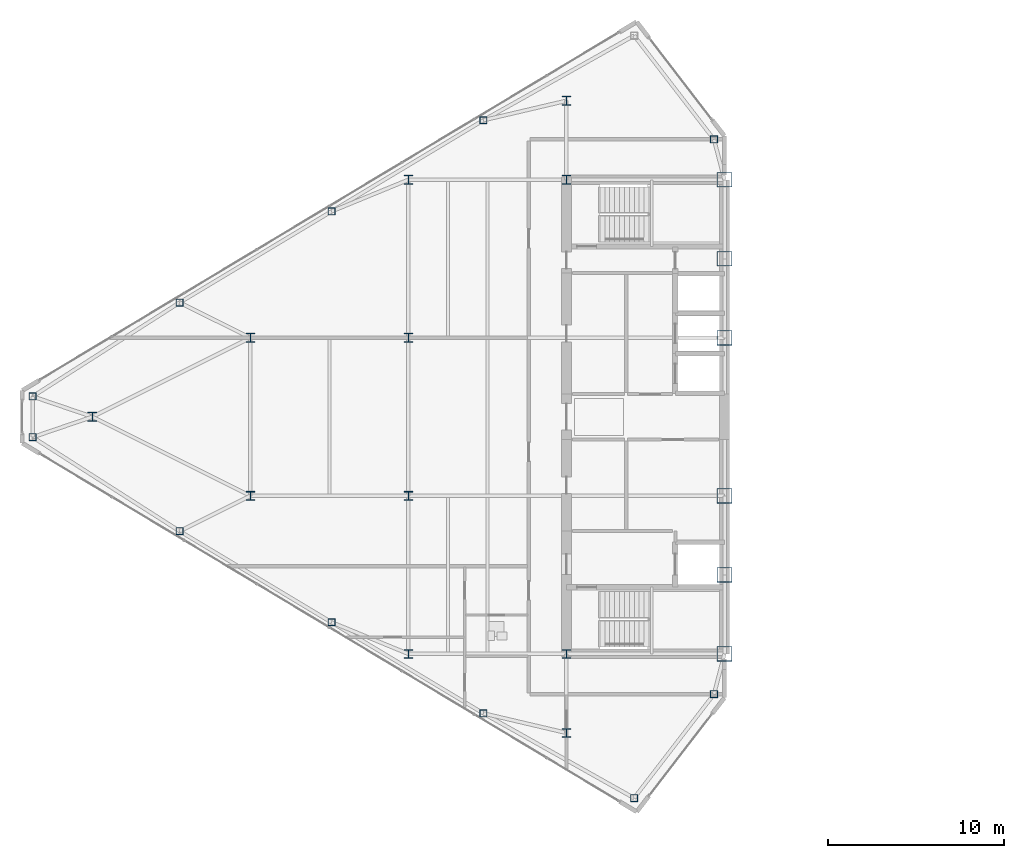
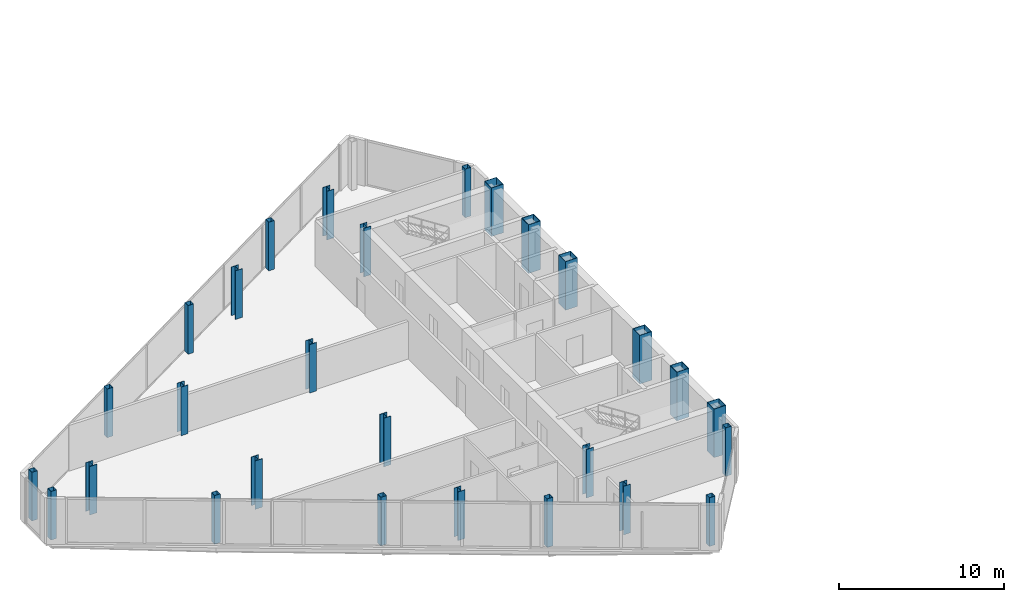
# One storey, part 1 of 25: 28 columns.
"""IFC4 building model written with IfcOpenShell, lengths in metres."""

from ifc_helpers import new_model, si_unit, direction, frame, origin, origin_2d, place, context, subcontext, project, spatial, hollow_rectangle, i_section, extrude, source, transform, mapped, material, material_profile, profile_set, type_object, type_shapes, element, save


model = new_model("IFC4")

# Units and contexts
model_context = context("Model", 3, precision=1e-05, world=origin(), true_north=direction((0.0, 1.0)))
body_context = subcontext(model_context, "Body", "Model", "MODEL_VIEW")
ifc_project = project(units=[si_unit("LENGTHUNIT", "METRE"), si_unit("AREAUNIT", "SQUARE_METRE"), si_unit("VOLUMEUNIT", "CUBIC_METRE"), si_unit("PLANEANGLEUNIT", "RADIAN"), si_unit("MASSUNIT", "GRAM", prefix="KILO")], contexts=[model_context])

# Site, building, storey
site_placement = place(None, origin())
site = spatial("IfcSite", under=ifc_project, at=site_placement, CompositionType="ELEMENT")
building_placement = place(site_placement, origin())
building = spatial("IfcBuilding", under=site, at=building_placement, Name="Seokmaru Belvedere", CompositionType="ELEMENT")
storey_placement = place(building_placement, frame((0.0, 0.0, 203.10009765625)))
storey = spatial("IfcBuildingStorey", under=building, at=storey_placement, Name="L54", CompositionType="ELEMENT", Elevation=203.10009765625)

# Columns
ifc_material_1 = material(Name="Steel HSA650 (650 MPa)", Category="steel")
ifc_material_profile_1 = material_profile(ifc_material_1, hollow_rectangle(XDim=0.85009765625, YDim=0.85009765625, WallThickness=0.035888671875, at=origin_2d()), Name="BOX-850x850x36")
ifc_profile_set_1 = profile_set([ifc_material_profile_1], Name="Steel HSA650 (650 MPa)")
column_type_1 = type_object("IfcColumnType", Name="Portal Spine Column BOX-850", PredefinedType="COLUMN", material=ifc_profile_set_1)
shared_shape_1 = source(origin(), body_context, "Body", "SweptSolid", [
    extrude(hollow_rectangle(XDim=0.85009765625, YDim=0.85009765625, WallThickness=0.035888671875, at=origin_2d()), origin(), (0.0, 0.0, 1.0), 3.599853515625),
])
type_shapes(column_type_1, [shared_shape_1])
for number, where, z_axis, x_axis, name in (
    (1, (-27.5, -13.5, 0.0), (0.0, 0.0, 1.0), (1.0, 0.0, 0.0), "L54 Column WS1"),
    (2, (-27.5, -9.0, 0.0), (0.0, 0.0, 1.0), (1.0, 0.0, 0.0), "L54 Column WS2"),
    (3, (-27.5, -4.5, 0.0), (0.0, 0.0, 1.0), (1.0, 0.0, 0.0), "L54 Column WS3"),
    (4, (-27.5, 4.5, 0.0), (0.0, 0.0, 1.0), (1.0, 0.0, 0.0), "L54 Column WS4"),
    (5, (-27.5, 9.0, 0.0), (0.0, 0.0, 1.0), (1.0, 0.0, 0.0), "L54 Column WS5"),
    (6, (-27.5, 13.5, 0.0), (0.0, 0.0, 1.0), (1.0, 0.0, 0.0), "L54 Column WS6"),
):
    element("IfcColumn", number, at=place(storey_placement, frame(where, z_axis=z_axis, x_axis=x_axis)), inside=storey, type_object=column_type_1, Name=name, PredefinedType="COLUMN", context=body_context, shape_type="MappedRepresentation", body=[
        mapped(shared_shape_1, transform((0.0, 0.0, 0.0), scale=1.0)),
    ])
ifc_material_2 = material(Name="Steel SM355 (355 MPa)", Category="steel")
ifc_material_profile_2 = material_profile(ifc_material_2, i_section(OverallWidth=0.5, OverallDepth=0.5, WebThickness=0.02001953125, FlangeThickness=0.031982421875, at=origin_2d()), Name="H-500x500x20x32")
ifc_profile_set_2 = profile_set([ifc_material_profile_2], Name="Steel SM355 (355 MPa)")
column_type_2 = type_object("IfcColumnType", Name="High-Rise Interior Column H-500", PredefinedType="COLUMN", material=ifc_profile_set_2)
shared_shape_2 = source(origin(), body_context, "Body", "SweptSolid", [
    extrude(i_section(OverallWidth=0.5, OverallDepth=0.5, WebThickness=0.02001953125, FlangeThickness=0.031982421875, at=origin_2d()), origin(), (0.0, 0.0, 1.0), 3.599853515625),
])
type_shapes(column_type_2, [shared_shape_2])
for number, where, z_axis, x_axis, name in (
    (7, (-36.5, -18.0, 0.0), (0.0, 0.0, 1.0), (1.0, 0.0, 0.0), "L54 Column WC1"),
    (8, (-36.5, -13.5, 0.0), (0.0, 0.0, 1.0), (1.0, 0.0, 0.0), "L54 Column WC2"),
    (9, (-36.5, 13.5, 0.0), (0.0, 0.0, 1.0), (1.0, 0.0, 0.0), "L54 Column WC3"),
    (10, (-36.5, 18.0, 0.0), (0.0, 0.0, 1.0), (1.0, 0.0, 0.0), "L54 Column WC4"),
    (11, (-45.5, -13.5, 0.0), (0.0, 0.0, 1.0), (1.0, 0.0, 0.0), "L54 Column WG5_1"),
    (12, (-45.5, -4.5, 0.0), (0.0, 0.0, 1.0), (1.0, 0.0, 0.0), "L54 Column WG5_2"),
    (13, (-45.5, 4.5, 0.0), (0.0, 0.0, 1.0), (1.0, 0.0, 0.0), "L54 Column WG5_3"),
    (14, (-45.5, 13.5, 0.0), (0.0, 0.0, 1.0), (1.0, 0.0, 0.0), "L54 Column WG5_4"),
    (15, (-54.5, -4.5, 0.0), (0.0, 0.0, 1.0), (1.0, 0.0, 0.0), "L54 Column WG4P_1"),
    (16, (-54.5, 4.5, 0.0), (0.0, 0.0, 1.0), (1.0, 0.0, 0.0), "L54 Column WG4P_2"),
    (17, (-63.5, 0.0, 0.0), (0.0, 0.0, 1.0), (1.0, 0.0, 0.0), "L54 Column WG3P_1"),
):
    element("IfcColumn", number, at=place(storey_placement, frame(where, z_axis=z_axis, x_axis=x_axis)), inside=storey, type_object=column_type_2, Name=name, PredefinedType="COLUMN", context=body_context, shape_type="MappedRepresentation", body=[
        mapped(shared_shape_2, transform((0.0, 0.0, 0.0), scale=1.0)),
    ])
ifc_material_profile_3 = material_profile(ifc_material_2, hollow_rectangle(XDim=0.39990234375, YDim=0.39990234375, WallThickness=0.01611328125, at=origin_2d()), Name="HSS-400x400x16")
ifc_profile_set_3 = profile_set([ifc_material_profile_3], Name="Steel SM355 (355 MPa)")
column_type_3 = type_object("IfcColumnType", Name="Perimeter Facet Column HSS-400", PredefinedType="COLUMN", material=ifc_profile_set_3)
shared_shape_3 = source(origin(), body_context, "Body", "SweptSolid", [
    extrude(hollow_rectangle(XDim=0.39990234375, YDim=0.39990234375, WallThickness=0.01611328125, at=origin_2d()), origin(), (0.0, 0.0, 1.0), 3.599853515625),
])
type_shapes(column_type_3, [shared_shape_3])
for number, where, z_axis, x_axis, name in (
    (18, (-28.10009765625, -15.7958984375, 0.0), (0.0, 0.0, 1.0), (1.0, 0.0, 0.0), "L54 Column WF1"),
    (19, (-28.10009765625, 15.7958984375, 0.0), (0.0, 0.0, 1.0), (1.0, 0.0, 0.0), "L54 Column WF2"),
    (20, (-66.89990234375, 1.160400390625, 0.0), (0.0, 0.0, 1.0), (1.0, 0.0, 0.0), "L54 Column WF4"),
    (21, (-66.89990234375, -1.160400390625, 0.0), (0.0, 0.0, 1.0), (1.0, 0.0, 0.0), "L54 Column WF5"),
    (22, (-32.649658203125, -21.71044921875, 0.0), (0.0, 0.0, 1.0), (1.0, 0.0, 0.0), "L54 Column WF6"),
    (23, (-41.229736328125, -16.888916015625, 0.0), (0.0, 0.0, 1.0), (1.0, 0.0, 0.0), "L54 Column WFLK_S1"),
    (24, (-49.8798828125, -11.698974609375, 0.0), (0.0, 0.0, 1.0), (1.0, 0.0, 0.0), "L54 Column WFLK_S2"),
    (25, (-58.530029296875, -6.5087890625, 0.0), (0.0, 0.0, 1.0), (1.0, 0.0, 0.0), "L54 Column WFLK_S3"),
    (26, (-41.229736328125, 16.888916015625, 0.0), (0.0, 0.0, 1.0), (1.0, 0.0, 0.0), "L54 Column WFLK_N1"),
    (27, (-49.8798828125, 11.698974609375, 0.0), (0.0, 0.0, 1.0), (1.0, 0.0, 0.0), "L54 Column WFLK_N2"),
    (28, (-58.530029296875, 6.5087890625, 0.0), (0.0, 0.0, 1.0), (1.0, 0.0, 0.0), "L54 Column WFLK_N3"),
):
    element("IfcColumn", number, at=place(storey_placement, frame(where, z_axis=z_axis, x_axis=x_axis)), inside=storey, type_object=column_type_3, Name=name, PredefinedType="COLUMN", context=body_context, shape_type="MappedRepresentation", body=[
        mapped(shared_shape_3, transform((0.0, 0.0, 0.0), scale=1.0)),
    ])

save(model, "model.ifc")
